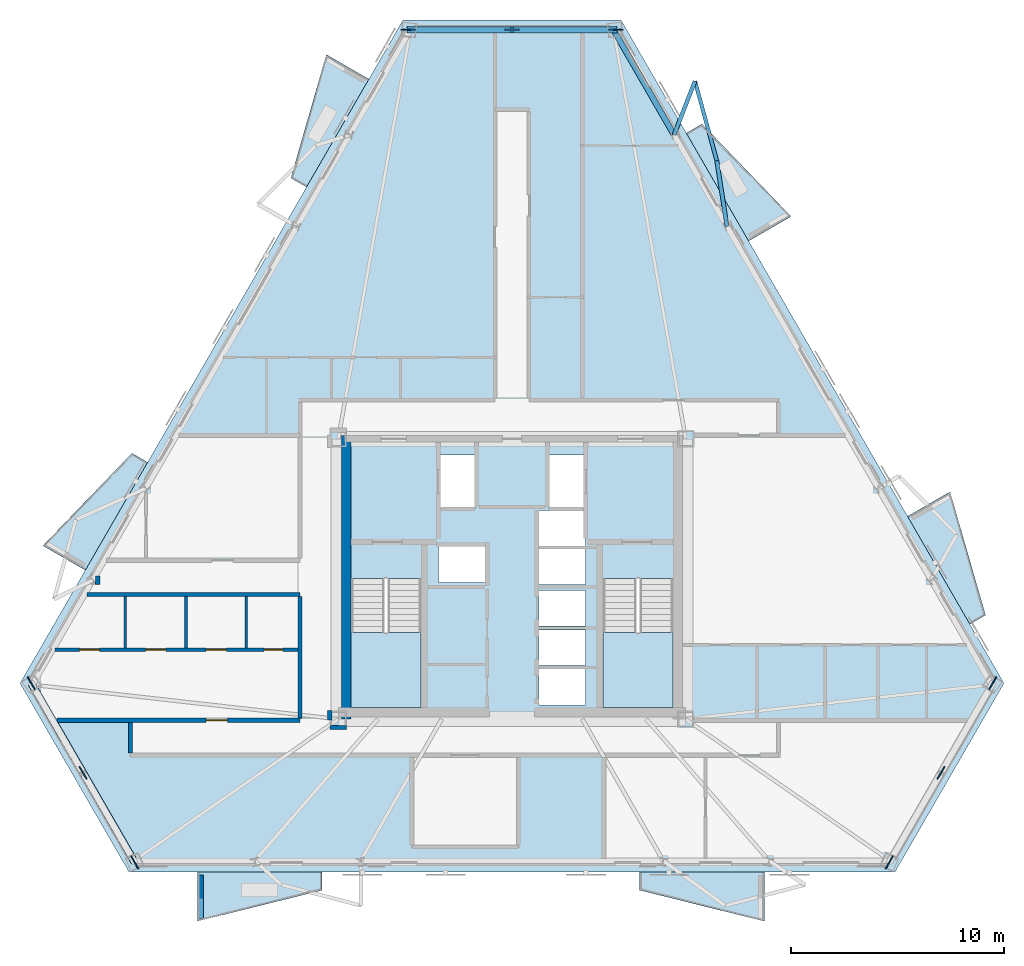
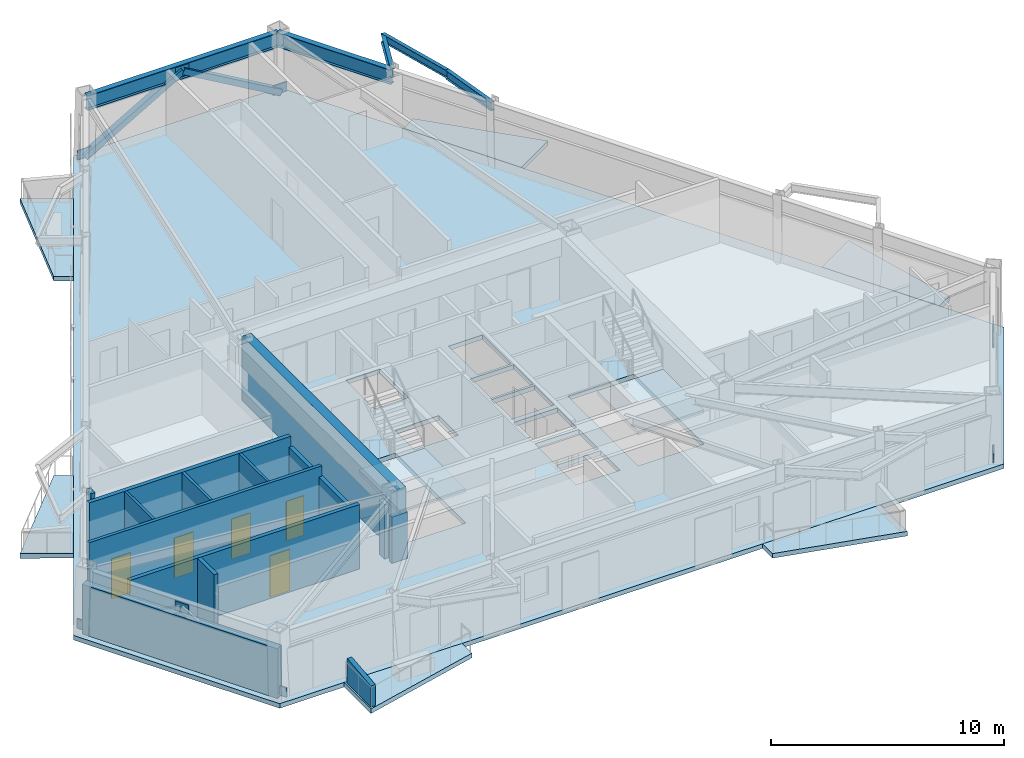
# One storey, part 2 of 9: 14 walls, 9 plates, 9 slabs, 5 beams, 5 doors, 2 members, 5 openings, 2 elements without a shape of their own.
"""IFC4 building model written with IfcOpenShell, lengths in metres."""

from ifc_helpers import new_model, si_unit, direction, frame, frame_2d, origin, origin_2d, place, context, subcontext, project, spatial, polyline, rectangle, hollow_rectangle, i_section, outline, extrude, material, layer, layer_set, material_profile, profile_set, type_object, element, fill, aggregate, save


model = new_model("IFC4")

# Units and contexts
model_context = context("Model", 3, precision=1e-05, world=origin(), true_north=direction((0.0, 1.0)))
body_context = subcontext(model_context, "Body", "Model", "MODEL_VIEW")
ifc_project = project(units=[si_unit("LENGTHUNIT", "METRE"), si_unit("AREAUNIT", "SQUARE_METRE"), si_unit("VOLUMEUNIT", "CUBIC_METRE"), si_unit("PLANEANGLEUNIT", "RADIAN"), si_unit("MASSUNIT", "GRAM", prefix="KILO")], contexts=[model_context])

# Site, building, storey
site_placement = place(None, origin())
site = spatial("IfcSite", under=ifc_project, at=site_placement, CompositionType="ELEMENT")
building_placement = place(site_placement, origin())
building = spatial("IfcBuilding", under=site, at=building_placement, Name="Oramaril Tower", CompositionType="ELEMENT")
storey_placement = place(building_placement, frame((0.0, 0.0, 145.800048828125)))
storey = spatial("IfcBuildingStorey", under=building, at=storey_placement, Name="L38", CompositionType="ELEMENT", Elevation=145.800048828125)

# Beams
ifc_material_1 = material(Name="Steel ASTM A572 Gr 50", Category="steel")
ifc_material_profile_1 = material_profile(ifc_material_1, i_section(OverallWidth=0.19091796875, OverallDepth=0.45703125, WebThickness=0.009033203125, FlangeThickness=0.014404296875, at=origin_2d()), Name="W18X50")
ifc_profile_set_1 = profile_set([ifc_material_profile_1], Name="Steel ASTM A572 Gr 50")
beam_type_1 = type_object("IfcBeamType", Name="BT-BB1", PredefinedType="BEAM", material=ifc_profile_set_1)
beam_1_placement = place(storey_placement, frame((47.5869140625, 34.115478515625, 3.1513671875), z_axis=(-0.153238557111, 0.988189225105, 0.0), x_axis=(-0.988189225105, -0.153238557111, 0.0)))
element("IfcBeam", 1, at=beam_1_placement, inside=storey, type_object=beam_type_1, Name="L38 Balcony Column-Framed Cantilever 04.1", PredefinedType="BEAM", context=body_context, shape_type="SweptSolid", body=[
    extrude(i_section(OverallWidth=0.19091796875, OverallDepth=0.45703125, WebThickness=0.009033203125, FlangeThickness=0.014404296875, at=origin_2d()), origin(), (0.0, 0.0, 1.0), 3.12109375),
])
beam_2_placement = place(storey_placement, frame((45.103759765625, 38.416259765625, 3.1513671875), z_axis=(0.363427668211, 0.931622418139, 0.0), x_axis=(-0.931622418139, 0.363427668211, 0.0)))
element("IfcBeam", 2, at=beam_2_placement, inside=storey, type_object=beam_type_1, Name="L38 Balcony Column-Framed Cantilever 04.2", PredefinedType="BEAM", context=body_context, shape_type="SweptSolid", body=[
    extrude(i_section(OverallWidth=0.19091796875, OverallDepth=0.45703125, WebThickness=0.009033203125, FlangeThickness=0.014404296875, at=origin_2d()), origin(), (0.0, 0.0, 1.0), 2.700439453125),
])
ifc_material_2 = material(Name="Steel ASTM A572 Gr 50", Category="steel")
ifc_material_profile_2 = material_profile(ifc_material_2, i_section(OverallWidth=0.177978515625, OverallDepth=0.404052734375, WebThickness=0.007568359375, FlangeThickness=0.010986328125, at=origin_2d()), Name="W16X36")
ifc_profile_set_2 = profile_set([ifc_material_profile_2], Name="Steel ASTM A572 Gr 50")
beam_type_2 = type_object("IfcBeamType", Name="BT-SB1", PredefinedType="BEAM", material=ifc_profile_set_2)
beam_3_placement = place(storey_placement, frame((47.108642578125, 37.19970703125, 3.177978515625), z_axis=(-0.264440915482, 0.964401888332, 0.0), x_axis=(-0.964401888332, -0.264440915482, 0.0)))
element("IfcBeam", 3, at=beam_3_placement, inside=storey, type_object=beam_type_2, Name="L38 Balcony Edge Tie Beam 04", PredefinedType="BEAM", context=body_context, shape_type="SweptSolid", body=[
    extrude(i_section(OverallWidth=0.177978515625, OverallDepth=0.404052734375, WebThickness=0.007568359375, FlangeThickness=0.010986328125, at=origin_2d()), origin(), (0.0, 0.0, 1.0), 3.8701171875),
])
ifc_material_3 = material(Name="Steel ASTM A572 Gr 50", Category="steel")
ifc_material_profile_3 = material_profile(ifc_material_3, i_section(OverallWidth=0.26708984375, OverallDepth=0.77001953125, WebThickness=0.015625, FlangeThickness=0.025390625, at=origin_2d()), Name="W30X132")
ifc_profile_set_3 = profile_set([ifc_material_profile_3], Name="Steel ASTM A572 Gr 50")
beam_type_3 = type_object("IfcBeamType", Name="BT-SP3", PredefinedType="SPANDREL", material=ifc_profile_set_3)
beam_4_placement = place(storey_placement, frame((45.103759765625, 38.416259765625, 2.994873046875), z_axis=(-0.499993043422, 0.86602942013, 0.0), x_axis=(-0.86602942013, -0.499993043422, 0.0)))
element("IfcBeam", 4, at=beam_4_placement, inside=storey, type_object=beam_type_3, Name="L38 Perimeter Spandrel 12", PredefinedType="SPANDREL", context=body_context, shape_type="SweptSolid", body=[
    extrude(i_section(OverallWidth=0.26708984375, OverallDepth=0.77001953125, WebThickness=0.015625, FlangeThickness=0.025390625, at=origin_2d()), origin(), (0.0, 0.0, 1.0), 5.67529296875),
])
beam_5_placement = place(storey_placement, frame((42.26611328125, 43.331298828125, 2.994873046875), z_axis=(-1.0, 0.0, 0.0), x_axis=(0.0, -1.0, 0.0)))
element("IfcBeam", 5, at=beam_5_placement, inside=storey, type_object=beam_type_3, Name="L38 Perimeter Spandrel 13", PredefinedType="SPANDREL", context=body_context, shape_type="SweptSolid", body=[
    extrude(i_section(OverallWidth=0.26708984375, OverallDepth=0.77001953125, WebThickness=0.015625, FlangeThickness=0.025390625, at=origin_2d()), origin(), (0.0, 0.0, 1.0), 9.5322265625),
])

# Members
ifc_material_4 = material(Name="Steel ASTM A572 Gr 50", Category="steel")
ifc_material_profile_4 = material_profile(ifc_material_4, hollow_rectangle(XDim=0.300048828125, YDim=0.300048828125, WallThickness=0.01611328125, at=origin_2d()), Name="HSS300X300X16")
ifc_profile_set_4 = profile_set([ifc_material_profile_4], Name="Steel ASTM A572 Gr 50")
member_type = type_object("IfcMemberType", Name="MT-KB2", PredefinedType="BRACE", material=ifc_profile_set_4)
for number, where, z_axis, x_axis, name in (
    (6, (42.3505859375, 43.3408203125, 0.179931640625), (-0.864907223083, 0.0, 0.501931763748), (0.0, -1.0, 0.0), "L38 Perimeter Chevron Brace KB-3A"),
    (7, (32.6494140625, 43.3408203125, 0.179931640625), (0.864907223083, 0.0, 0.501931763748), (0.0, 1.0, 0.0), "L38 Perimeter Chevron Brace KB-3B"),
):
    element("IfcMember", number, at=place(storey_placement, frame(where, z_axis=z_axis, x_axis=x_axis)), inside=storey, type_object=member_type, Name=name, PredefinedType="BRACE", context=body_context, shape_type="SweptSolid", body=[
        extrude(hollow_rectangle(XDim=0.300048828125, YDim=0.300048828125, WallThickness=0.01611328125, at=origin_2d()), origin(), (0.0, 0.0, 1.0), 5.608154296875),
    ])

# Plates
ifc_material_5 = material(Name="Steel ASTM A572 Gr 50", Category="steel")
ifc_layer_1 = layer(ifc_material_5, 0.06005859375)
ifc_layer_set_1 = layer_set([ifc_layer_1], Name="PLT-G60")
plate_type = type_object("IfcPlateType", Name="PLT-G60", PredefinedType="USERDEFINED", material=ifc_layer_set_1)
for number, where, z_axis, x_axis, name in (
    (8, (17.372802734375, 8.4794921875, 2.7548828125), (0.0, 0.0, 1.0), (0.500003022996, -0.86602365845, 0.0), "L38 Chevron Brace Gusset Plate BN-1"),
    (9, (14.947509765625, 12.680419921875, 0.099853515625), (0.0, 0.0, 1.0), (0.500003022996, -0.86602365845, 0.0), "L38 Chevron Brace Gusset Plate BN-1"),
    (10, (19.79833984375, 4.27880859375, 0.099853515625), (0.0, 0.0, 1.0), (0.500003022996, -0.86602365845, 0.0), "L38 Chevron Brace Gusset Plate BN-1"),
    (11, (57.626953125, 8.4794921875, 2.7548828125), (0.0, 0.0, 1.0), (0.500003022996, 0.86602365845, 0.0), "L38 Chevron Brace Gusset Plate BN-1"),
    (12, (55.20166015625, 4.27880859375, 0.099853515625), (0.0, 0.0, 1.0), (0.500003022996, 0.86602365845, 0.0), "L38 Chevron Brace Gusset Plate BN-1"),
    (13, (60.052490234375, 12.680419921875, 0.099853515625), (0.0, 0.0, 1.0), (0.500003022996, 0.86602365845, 0.0), "L38 Chevron Brace Gusset Plate BN-1"),
    (14, (37.5, 43.3408203125, 2.7548828125), (0.0, 0.0, 1.0), (-1.0, 0.0, 0.0), "L38 Chevron Brace Gusset Plate BN-1"),
    (15, (42.3505859375, 43.3408203125, 0.099853515625), (0.0, 0.0, 1.0), (-1.0, 0.0, 0.0), "L38 Chevron Brace Gusset Plate BN-1"),
    (16, (32.6494140625, 43.3408203125, 0.099853515625), (0.0, 0.0, 1.0), (-1.0, 0.0, 0.0), "L38 Chevron Brace Gusset Plate BN-1"),
):
    element("IfcPlate", number, at=place(storey_placement, frame(where, z_axis=z_axis, x_axis=x_axis)), inside=storey, type_object=plate_type, Name=name, ObjectType="GUSSET", PredefinedType="USERDEFINED", context=body_context, shape_type="SweptSolid", body=[
        extrude(rectangle(XDim=0.679931640625, YDim=0.06005859375, at=origin_2d()), origin(), (0.0, 0.0, 1.0), 0.47998046875),
    ])

# Slabs
ifc_material_6 = material(Name="Concrete C40/50", Category="concrete")
ifc_layer_2 = layer(ifc_material_6, 0.199951171875)
ifc_layer_set_2 = layer_set([ifc_layer_2], Name="SLT-BAL20")
slab_type_1 = type_object("IfcSlabType", Name="SLT-BAL20", PredefinedType="FLOOR", material=ifc_layer_set_2)
slab_1_placement = place(storey_placement, frame((0.0, 0.0, -0.239990234375)))
element("IfcSlab", 17, at=slab_1_placement, inside=storey, type_object=slab_type_1, Name="L38 Cantilevered Balcony Slab L38-BAL-S2", PredefinedType="FLOOR", context=body_context, shape_type="SweptSolid", body=[
    extrude(outline(polyline([(43.4921875, 3.82080078125), (49.34228515625, 3.82080078125), (49.34228515625, 1.518798828125), (43.4921875, 2.96875), (43.4921875, 3.82080078125)])), origin(), (0.0, 0.0, 1.0), 0.239990234375),
])
slab_2_placement = place(storey_placement, frame((0.0, 0.0, -0.239990234375)))
element("IfcSlab", 18, at=slab_2_placement, inside=storey, type_object=slab_type_1, Name="L38 Cantilevered Balcony Slab L38-BAL-NE1", PredefinedType="FLOOR", context=body_context, shape_type="SweptSolid", body=[
    extrude(outline(polyline([(58.98193359375, 15.45068359375), (56.056884765625, 20.516845703125), (58.050537109375, 21.66796875), (59.7197265625, 15.876708984375), (58.98193359375, 15.45068359375)])), origin(), (0.0, 0.0, 1.0), 0.239990234375),
])
slab_3_placement = place(storey_placement, frame((0.0, 0.0, -0.239990234375)))
element("IfcSlab", 19, at=slab_3_placement, inside=storey, type_object=slab_type_1, Name="L38 Cantilevered Balcony Slab L38-BAL-NW2", PredefinedType="FLOOR", context=body_context, shape_type="SweptSolid", body=[
    extrude(outline(polyline([(20.405517578125, 23.050048828125), (17.480712890625, 17.98388671875), (15.487060546875, 19.134765625), (19.667724609375, 23.47607421875), (20.405517578125, 23.050048828125)])), origin(), (0.0, 0.0, 1.0), 0.239990234375),
])
ifc_material_7 = material(Name="Concrete C50/60", Category="concrete")
ifc_layer_3 = layer(ifc_material_7, 0.239990234375)
ifc_layer_set_3 = layer_set([ifc_layer_3], Name="SLT-FLR24")
slab_type_2 = type_object("IfcSlabType", Name="SLT-FLR24", PredefinedType="FLOOR", material=ifc_layer_set_3)
slab_4_placement = place(storey_placement, frame((0.0, 0.0, -0.239990234375)))
element("IfcSlab", 20, at=slab_4_placement, inside=storey, type_object=slab_type_2, Name="L38 Structural Floor Slab", PredefinedType="FLOOR", context=body_context, shape_type="SweptSolid", body=[
    extrude(outline(polyline([(14.41650390625, 12.680419921875), (19.53271484375, 3.81884765625), (55.46728515625, 3.81884765625), (60.58349609375, 12.680419921875), (42.6162109375, 43.80078125), (32.3837890625, 43.80078125), (14.41650390625, 12.680419921875)]), holes=[polyline([(29.949951171875, 17.58935546875), (29.949951171875, 11.550048828125), (33.219970703125, 11.550048828125), (33.219970703125, 17.58935546875), (29.949951171875, 17.58935546875)]), polyline([(41.780029296875, 17.58935546875), (41.780029296875, 11.550048828125), (45.050048828125, 11.550048828125), (45.050048828125, 17.58935546875), (41.780029296875, 17.58935546875)]), polyline([(34.110107421875, 20.909912109375), (35.7900390625, 20.909912109375), (35.7900390625, 23.389892578125), (34.110107421875, 23.389892578125), (34.110107421875, 20.909912109375)]), polyline([(39.2099609375, 20.909912109375), (40.889892578125, 20.909912109375), (40.889892578125, 23.389892578125), (39.2099609375, 23.389892578125), (39.2099609375, 20.909912109375)]), polyline([(38.760009765625, 11.659912109375), (40.93994140625, 11.659912109375), (40.93994140625, 13.340087890625), (38.760009765625, 13.340087890625), (38.760009765625, 11.659912109375)]), polyline([(38.760009765625, 13.510009765625), (40.93994140625, 13.510009765625), (40.93994140625, 15.18994140625), (38.760009765625, 15.18994140625), (38.760009765625, 13.510009765625)]), polyline([(38.760009765625, 15.360107421875), (40.93994140625, 15.360107421875), (40.93994140625, 17.0400390625), (38.760009765625, 17.0400390625), (38.760009765625, 15.360107421875)]), polyline([(34.06005859375, 17.409912109375), (36.239990234375, 17.409912109375), (36.239990234375, 19.090087890625), (34.06005859375, 19.090087890625), (34.06005859375, 17.409912109375)]), polyline([(38.760009765625, 17.31005859375), (40.93994140625, 17.31005859375), (40.93994140625, 18.989990234375), (38.760009765625, 18.989990234375), (38.760009765625, 17.31005859375)]), polyline([(38.760009765625, 19.110107421875), (40.93994140625, 19.110107421875), (40.93994140625, 20.7900390625), (38.760009765625, 20.7900390625), (38.760009765625, 19.110107421875)])]), origin(), (0.0, 0.0, 1.0), 0.239990234375),
])

# Stair, slab
ifc_material_8 = material(Name="Concrete C50/60", Category="concrete")
stair_type = type_object("IfcStairType", Name="STT-DG-3600", PredefinedType="HALF_TURN_STAIR", material=ifc_material_8)
stair_1_placement = place(storey_placement, origin())
stair_1 = element("IfcStair", 21, at=stair_1_placement, inside=storey, type_object=stair_type, Name="L38 Protected PFP Exit Stair ST-1", PredefinedType="HALF_TURN_STAIR")
ifc_material_9 = material(Name="Concrete C50/60", Category="concrete")
ifc_layer_4 = layer(ifc_material_9, 0.199951171875)
ifc_layer_set_4 = layer_set([ifc_layer_4], Name="SLT-LND20")
slab_type_3 = type_object("IfcSlabType", Name="SLT-LND20", PredefinedType="LANDING", material=ifc_layer_set_4)
slab_5_placement = place(storey_placement, frame((0.0, 0.0, 1.599853515625)))
slab_5 = element("IfcSlab", 22, at=slab_5_placement, type_object=slab_type_3, Name="ST-1 landing 1", PredefinedType="LANDING", context=body_context, shape_type="SweptSolid", body=[
    extrude(outline(polyline([(29.949951171875, 15.070068359375), (29.949951171875, 11.550048828125), (33.219970703125, 11.550048828125), (33.219970703125, 15.070068359375), (29.949951171875, 15.070068359375)])), origin(), (0.0, 0.0, 1.0), 0.2001953125),
])
aggregate(stair_1, [slab_5])

stair_2_placement = place(storey_placement, origin())
stair_2 = element("IfcStair", 23, at=stair_2_placement, inside=storey, type_object=stair_type, Name="L38 Protected PFP Exit Stair ST-2", PredefinedType="HALF_TURN_STAIR")
slab_6_placement = place(storey_placement, frame((0.0, 0.0, 1.599853515625)))
slab_6 = element("IfcSlab", 24, at=slab_6_placement, type_object=slab_type_3, Name="ST-2 landing 1", PredefinedType="LANDING", context=body_context, shape_type="SweptSolid", body=[
    extrude(outline(polyline([(41.780029296875, 15.070068359375), (41.780029296875, 11.550048828125), (45.050048828125, 11.550048828125), (45.050048828125, 15.070068359375), (41.780029296875, 15.070068359375)])), origin(), (0.0, 0.0, 1.0), 0.2001953125),
])
aggregate(stair_2, [slab_6])

# Slabs
ifc_material_10 = material(Name="Concrete C40/50", Category="concrete")
ifc_layer_5 = layer(ifc_material_10, 0.18994140625)
ifc_layer_set_5 = layer_set([ifc_layer_5], Name="SLT-PLN19")
slab_type_4 = type_object("IfcSlabType", Name="SLT-PLN19", PredefinedType="FLOOR", material=ifc_layer_set_5)
slab_7_placement = place(storey_placement, frame((0.0, 0.0, -0.239990234375)))
element("IfcSlab", 25, at=slab_7_placement, inside=storey, type_object=slab_type_4, Name="L38 Tree Planter Balcony Slab L38-BAL-S1", PredefinedType="FLOOR", context=body_context, shape_type="SweptSolid", body=[
    extrude(outline(polyline([(22.732666015625, 3.82080078125), (28.582763671875, 3.82080078125), (28.582763671875, 2.96875), (22.732666015625, 1.518798828125), (22.732666015625, 3.82080078125)])), origin(), (0.0, 0.0, 1.0), 0.239990234375),
])
slab_8_placement = place(storey_placement, frame((0.0, 0.0, -0.239990234375)))
element("IfcSlab", 26, at=slab_8_placement, inside=storey, type_object=slab_type_4, Name="L38 Tree Planter Balcony Slab L38-BAL-NE2", PredefinedType="FLOOR", context=body_context, shape_type="SweptSolid", body=[
    extrude(outline(polyline([(48.60205078125, 33.42919921875), (45.677001953125, 38.495361328125), (46.414794921875, 38.92138671875), (50.595703125, 34.580078125), (48.60205078125, 33.42919921875)])), origin(), (0.0, 0.0, 1.0), 0.239990234375),
])
slab_9_placement = place(storey_placement, frame((0.0, 0.0, -0.239990234375)))
element("IfcSlab", 27, at=slab_9_placement, inside=storey, type_object=slab_type_4, Name="L38 Tree Planter Balcony Slab L38-BAL-NW1", PredefinedType="FLOOR", context=body_context, shape_type="SweptSolid", body=[
    extrude(outline(polyline([(30.785400390625, 41.028564453125), (27.8603515625, 35.96240234375), (27.12255859375, 36.38818359375), (28.791748046875, 42.179443359375), (30.785400390625, 41.028564453125)])), origin(), (0.0, 0.0, 1.0), 0.239990234375),
])

# Walls
ifc_material_11 = material(Name="Warm Cream Limestone", Category="masonry")
ifc_layer_6 = layer(ifc_material_11, 0.340087890625)
ifc_layer_set_6 = layer_set([ifc_layer_6], Name="WT-EXT34")
wall_type_1 = type_object("IfcWallType", Name="WT-EXT34", PredefinedType="SOLIDWALL", material=ifc_layer_set_6)
wall_1_placement = place(storey_placement, frame((14.947509765625, 12.680419921875, 0.0), z_axis=(0.0, 0.0, 1.0), x_axis=(0.500012177251, -0.866018373131, 0.0)))
element("IfcWall", 28, at=wall_1_placement, inside=storey, type_object=wall_type_1, Name="L38 Tower Limestone Facade Wall 1M", PredefinedType="SOLIDWALL", context=body_context, shape_type="SweptSolid", body=[
    extrude(rectangle(XDim=9.701416015625, YDim=0.340087890625, at=frame_2d((4.8505859375, 0.0))), origin(), (0.0, 0.0, 1.0), 2.599853515625),
])
ifc_material_12 = material(Name="Concrete C40/50", Category="concrete")
ifc_layer_7 = layer(ifc_material_12, 0.22998046875)
ifc_layer_set_7 = layer_set([ifc_layer_7], Name="WT-PRP23")
wall_type_2 = type_object("IfcWallType", Name="WT-PRP23", PredefinedType="PARAPET", material=ifc_layer_set_7)
wall_2_placement = place(storey_placement, frame((22.91259765625, 3.680908203125, 0.0), z_axis=(0.0, 0.0, 1.0), x_axis=(0.0, -1.0, 0.0)))
element("IfcWall", 29, at=wall_2_placement, inside=storey, type_object=wall_type_2, Name="L38 Trapezoidal Balcony Frame Cheek L38-BAL-S1-L", PredefinedType="PARAPET", context=body_context, shape_type="SweptSolid", body=[
    extrude(outline(polyline([(0.0, 0.0), (2.0419921875, 0.0), (2.0419921875, 1.099853515625), (0.0, 1.320068359375), (0.0, 0.0)])), frame((0.0, 0.114990234375, 0.0), z_axis=(0.0, -1.0, 0.0), x_axis=(1.0, 0.0, 0.0)), (0.0, 0.0, 1.0), 0.22998046875),
])
ifc_material_13 = material(Name="Acoustic Gypsum Board Partition")
ifc_layer_8 = layer(ifc_material_13, 0.1201171875)
ifc_layer_set_8 = layer_set([ifc_layer_8], Name="WT-PT12")
wall_type_3 = type_object("IfcWallType", Name="WT-PT12", PredefinedType="PARTITIONING", material=ifc_layer_set_8)
for number, where, z_axis, x_axis, name in (
    (30, (19.360107421875, 14.333984375, 0.0), (0.0, 0.0, 1.0), (0.0, 1.0, 0.0), "L38 Interior Partition PT-12"),
    (31, (25.030029296875, 14.333984375, 0.0), (0.0, 0.0, 1.0), (0.0, 1.0, 0.0), "L38 Interior Partition PT-12"),
):
    element("IfcWall", number, at=place(storey_placement, frame(where, z_axis=z_axis, x_axis=x_axis)), inside=storey, type_object=wall_type_3, Name=name, PredefinedType="PARTITIONING", context=body_context, shape_type="SweptSolid", body=[
        extrude(rectangle(XDim=2.412109375, YDim=0.1201171875, at=frame_2d((1.2060546875, 0.0))), origin(), (0.0, 0.0, 1.0), 3.3798828125),
    ])
ifc_material_14 = material(Name="Acoustic Gypsum Board Partition")
ifc_layer_9 = layer(ifc_material_14, 0.139892578125)
ifc_layer_set_9 = layer_set([ifc_layer_9], Name="WT-PT14")
wall_type_4 = type_object("IfcWallType", Name="WT-PT14", PredefinedType="PARTITIONING", material=ifc_layer_set_9)
wall_3_placement = place(storey_placement, frame((22.2099609375, 14.333984375, 0.0), z_axis=(0.0, 0.0, 1.0), x_axis=(0.0, 1.0, 0.0)))
element("IfcWall", 32, at=wall_3_placement, inside=storey, type_object=wall_type_4, Name="L38 Interior Partition PT-14", PredefinedType="PARTITIONING", context=body_context, shape_type="SweptSolid", body=[
    extrude(rectangle(XDim=2.412109375, YDim=0.139892578125, at=frame_2d((1.2060546875, 0.0))), origin(), (0.0, 0.0, 1.0), 3.3798828125),
])

# Wall, openings, doors
ifc_material_15 = material(Name="Acoustic Gypsum Board Partition")
ifc_layer_10 = layer(ifc_material_15, 0.159912109375)
ifc_layer_set_10 = layer_set([ifc_layer_10], Name="WT-PT16")
wall_type_5 = type_object("IfcWallType", Name="WT-PT16", PredefinedType="PARTITIONING", material=ifc_layer_set_10)
wall_4_placement = place(storey_placement, frame((16.0546875, 14.25, 0.0), z_axis=(0.0, 0.0, 1.0), x_axis=(1.0, 0.0, 0.0)))
wall_4 = element("IfcWall", 33, at=wall_4_placement, inside=storey, type_object=wall_type_5, Name="L38 Interior Partition PT-16", PredefinedType="PARTITIONING", context=body_context, shape_type="SweptSolid", body=[
    extrude(rectangle(XDim=11.54541015625, YDim=0.159912109375, at=frame_2d((5.772705078125, 0.0))), origin(), (0.0, 0.0, 1.0), 3.3798828125),
])
opening_1_placement = place(wall_4_placement, frame((1.1474609375, 0.0, 0.0)))
opening_1 = element("IfcOpeningElement", 34, at=opening_1_placement, cuts=wall_4, Name="Opening D-L38-04", PredefinedType="OPENING", context=body_context, shape_type="SweptSolid", body=[
    extrude(rectangle(XDim=0.949951171875, YDim=2.10009765625, at=frame_2d((0.47509765625, 1.050048828125))), frame((0.0, 0.080078125, 0.0), z_axis=(0.0, -1.0, 0.0), x_axis=(1.0, 0.0, 0.0)), (0.0, 0.0, 1.0), 0.159912109375),
])
opening_2_placement = place(wall_4_placement, frame((4.254638671875, 0.0, 0.0)))
opening_2 = element("IfcOpeningElement", 35, at=opening_2_placement, cuts=wall_4, Name="Opening D-L38-05", PredefinedType="OPENING", context=body_context, shape_type="SweptSolid", body=[
    extrude(rectangle(XDim=0.949951171875, YDim=2.10009765625, at=frame_2d((0.47509765625, 1.050048828125))), frame((0.0, 0.080078125, 0.0), z_axis=(0.0, -1.0, 0.0), x_axis=(1.0, 0.0, 0.0)), (0.0, 0.0, 1.0), 0.159912109375),
])
opening_3_placement = place(wall_4_placement, frame((7.092041015625, 0.0, 0.0)))
opening_3 = element("IfcOpeningElement", 36, at=opening_3_placement, cuts=wall_4, Name="Opening D-L38-06", PredefinedType="OPENING", context=body_context, shape_type="SweptSolid", body=[
    extrude(rectangle(XDim=0.949951171875, YDim=2.10009765625, at=frame_2d((0.47509765625, 1.050048828125))), frame((0.0, 0.080078125, 0.0), z_axis=(0.0, -1.0, 0.0), x_axis=(1.0, 0.0, 0.0)), (0.0, 0.0, 1.0), 0.159912109375),
])
opening_4_placement = place(wall_4_placement, frame((9.810302734375, 0.0, 0.0)))
opening_4 = element("IfcOpeningElement", 37, at=opening_4_placement, cuts=wall_4, Name="Opening D-L38-07", PredefinedType="OPENING", context=body_context, shape_type="SweptSolid", body=[
    extrude(rectangle(XDim=0.8798828125, YDim=2.080078125, at=frame_2d((0.43994140625, 1.0400390625))), frame((0.0, 0.080078125, 0.0), z_axis=(0.0, -1.0, 0.0), x_axis=(1.0, 0.0, 0.0)), (0.0, 0.0, 1.0), 0.159912109375),
])
ifc_material_16 = material(Name="FSC Brazilian Freijo Hardwood", Category="wood")
door_type_1 = type_object("IfcDoorType", Name="DT-BATH", OperationType="NOTDEFINED", PredefinedType="DOOR", material=ifc_material_16)
door_1_placement = place(opening_4_placement, origin())
door_1 = element("IfcDoor", 38, at=door_1_placement, inside=storey, type_object=door_type_1, Name="L38 Flat L38-U3 Bathroom Door D-L38-07", OperationType="SINGLE_SWING_LEFT", OverallHeight=2.080078125, OverallWidth=0.8798828125, PredefinedType="DOOR", context=body_context, shape_type="SweptSolid", body=[
    extrude(rectangle(XDim=0.8798828125, YDim=2.080078125, at=frame_2d((0.43994140625, 1.0400390625))), frame((0.0, 0.02490234375, 0.0), z_axis=(0.0, -1.0, 0.0), x_axis=(1.0, 0.0, 0.0)), (0.0, 0.0, 1.0), 0.050048828125),
])
fill(opening_4, door_1)
ifc_material_17 = material(Name="FSC Brazilian Freijo Hardwood", Category="wood")
door_type_2 = type_object("IfcDoorType", Name="DT-STDY", OperationType="NOTDEFINED", PredefinedType="DOOR", material=ifc_material_17)
door_2_placement = place(opening_1_placement, origin())
door_2 = element("IfcDoor", 39, at=door_2_placement, inside=storey, type_object=door_type_2, Name="L38 Flat L38-U3 Breakfast Dining Room Door D-L38-04", OperationType="SINGLE_SWING_RIGHT", OverallHeight=2.10009765625, OverallWidth=0.949951171875, PredefinedType="DOOR", context=body_context, shape_type="SweptSolid", body=[
    extrude(rectangle(XDim=0.949951171875, YDim=2.10009765625, at=frame_2d((0.47509765625, 1.050048828125))), frame((0.0, 0.02490234375, 0.0), z_axis=(0.0, -1.0, 0.0), x_axis=(1.0, 0.0, 0.0)), (0.0, 0.0, 1.0), 0.050048828125),
])
fill(opening_1, door_2)
door_3_placement = place(opening_2_placement, origin())
door_3 = element("IfcDoor", 40, at=door_3_placement, inside=storey, type_object=door_type_2, Name="L38 Flat L38-U3 Breakfast Dining Room Door D-L38-05", OperationType="SINGLE_SWING_LEFT", OverallHeight=2.10009765625, OverallWidth=0.949951171875, PredefinedType="DOOR", context=body_context, shape_type="SweptSolid", body=[
    extrude(rectangle(XDim=0.949951171875, YDim=2.10009765625, at=frame_2d((0.47509765625, 1.050048828125))), frame((0.0, 0.02490234375, 0.0), z_axis=(0.0, -1.0, 0.0), x_axis=(1.0, 0.0, 0.0)), (0.0, 0.0, 1.0), 0.050048828125),
])
fill(opening_2, door_3)
door_4_placement = place(opening_3_placement, origin())
door_4 = element("IfcDoor", 41, at=door_4_placement, inside=storey, type_object=door_type_2, Name="L38 Flat L38-U3 Kitchen Door D-L38-06", OperationType="SINGLE_SWING_RIGHT", OverallHeight=2.10009765625, OverallWidth=0.949951171875, PredefinedType="DOOR", context=body_context, shape_type="SweptSolid", body=[
    extrude(rectangle(XDim=0.949951171875, YDim=2.10009765625, at=frame_2d((0.47509765625, 1.050048828125))), frame((0.0, 0.02490234375, 0.0), z_axis=(0.0, -1.0, 0.0), x_axis=(1.0, 0.0, 0.0)), (0.0, 0.0, 1.0), 0.050048828125),
])
fill(opening_3, door_4)

# Wall
ifc_material_18 = material(Name="Autoclaved Cellular Concrete Block", Category="concrete")
ifc_layer_11 = layer(ifc_material_18, 0.199951171875)
ifc_layer_set_11 = layer_set([ifc_layer_11], Name="WT-PT20")
wall_type_6 = type_object("IfcWallType", Name="WT-PT20", PredefinedType="PARTITIONING", material=ifc_layer_set_11)
wall_5_placement = place(storey_placement, frame((28.9599609375, 10.610107421875, 0.0), z_axis=(0.0, 0.0, 1.0), x_axis=(1.0, 0.0, 0.0)))
element("IfcWall", 42, at=wall_5_placement, inside=storey, type_object=wall_type_6, Name="L38 Interior Partition PT-20", PredefinedType="PARTITIONING", context=body_context, shape_type="SweptSolid", body=[
    extrude(rectangle(XDim=0.780029296875, YDim=0.199951171875, at=frame_2d((0.39013671875, 0.0))), origin(), (0.0, 0.0, 1.0), 2.419921875),
])

# Wall, opening, door
wall_6_placement = place(storey_placement, frame((16.147705078125, 10.949951171875, 0.0), z_axis=(0.0, 0.0, 1.0), x_axis=(1.0, 0.0, 0.0)))
wall_6 = element("IfcWall", 43, at=wall_6_placement, inside=storey, type_object=wall_type_6, Name="L38 Interior Partition PT-20", PredefinedType="PARTITIONING", context=body_context, shape_type="SweptSolid", body=[
    extrude(rectangle(XDim=11.40234375, YDim=0.199951171875, at=frame_2d((5.701171875, 0.0))), origin(), (0.0, 0.0, 1.0), 3.3798828125),
])
opening_5_placement = place(wall_6_placement, frame((7.00146484375, 0.0, 0.0)))
opening_5 = element("IfcOpeningElement", 44, at=opening_5_placement, cuts=wall_6, Name="Opening D-L38-03", PredefinedType="OPENING", context=body_context, shape_type="SweptSolid", body=[
    extrude(rectangle(XDim=1.0, YDim=2.179931640625, at=frame_2d((0.5, 1.08984375))), frame((0.0, 0.10009765625, 0.0), z_axis=(0.0, -1.0, 0.0), x_axis=(1.0, 0.0, 0.0)), (0.0, 0.0, 1.0), 0.199951171875),
])
ifc_material_19 = material(Name="FSC Brazilian Freijo Hardwood", Category="wood")
door_type_3 = type_object("IfcDoorType", Name="DT-APT", OperationType="NOTDEFINED", PredefinedType="DOOR", material=ifc_material_19)
door_5_placement = place(opening_5_placement, origin())
door_5 = element("IfcDoor", 45, at=door_5_placement, inside=storey, type_object=door_type_3, Name="L38 Flat L38-U3 Studio Apartment Door D-L38-03", OperationType="SINGLE_SWING_LEFT", OverallHeight=2.179931640625, OverallWidth=1.0, PredefinedType="DOOR", context=body_context, shape_type="SweptSolid", body=[
    extrude(rectangle(XDim=1.0, YDim=2.179931640625, at=frame_2d((0.5, 1.08984375))), frame((0.0, 0.02490234375, 0.0), z_axis=(0.0, -1.0, 0.0), x_axis=(1.0, 0.0, 0.0)), (0.0, 0.0, 1.0), 0.050048828125),
])
fill(opening_5, door_5)

# Walls
wall_7_placement = place(storey_placement, frame((17.555908203125, 16.85009765625, 0.0), z_axis=(0.0, 0.0, 1.0), x_axis=(1.0, 0.0, 0.0)))
element("IfcWall", 46, at=wall_7_placement, inside=storey, type_object=wall_type_6, Name="L38 Interior Partition PT-20", PredefinedType="PARTITIONING", context=body_context, shape_type="SweptSolid", body=[
    extrude(rectangle(XDim=9.994140625, YDim=0.199951171875, at=frame_2d((4.9970703125, 0.0))), origin(), (0.0, 0.0, 1.0), 3.3798828125),
])
wall_8_placement = place(storey_placement, frame((18.06005859375, 17.307373046875, 0.0), z_axis=(0.0, 0.0, 1.0), x_axis=(0.0, 1.0, 0.0)))
element("IfcWall", 47, at=wall_8_placement, inside=storey, type_object=wall_type_6, Name="L38 Interior Partition PT-20", PredefinedType="PARTITIONING", context=body_context, shape_type="SweptSolid", body=[
    extrude(rectangle(XDim=0.416015625, YDim=0.199951171875, at=frame_2d((0.2080078125, 0.0))), origin(), (0.0, 0.0, 1.0), 3.3798828125),
])
wall_9_placement = place(storey_placement, frame((19.60009765625, 9.404052734375, 0.0), z_axis=(0.0, 0.0, 1.0), x_axis=(0.0, 1.0, 0.0)))
element("IfcWall", 48, at=wall_9_placement, inside=storey, type_object=wall_type_6, Name="L38 Interior Partition PT-20", PredefinedType="PARTITIONING", context=body_context, shape_type="SweptSolid", body=[
    extrude(rectangle(XDim=1.44189453125, YDim=0.199951171875, at=frame_2d((0.720947265625, 0.0))), origin(), (0.0, 0.0, 1.0), 3.3798828125),
])
wall_10_placement = place(storey_placement, frame((27.550048828125, 11.053955078125, 0.0), z_axis=(0.0, 0.0, 1.0), x_axis=(0.0, 1.0, 0.0)))
element("IfcWall", 49, at=wall_10_placement, inside=storey, type_object=wall_type_6, Name="L38 Interior Partition PT-20", PredefinedType="PARTITIONING", context=body_context, shape_type="SweptSolid", body=[
    extrude(rectangle(XDim=5.692138671875, YDim=0.199951171875, at=frame_2d((2.84619140625, 0.0))), origin(), (0.0, 0.0, 1.0), 2.842041015625),
])
wall_11_placement = place(storey_placement, frame((28.949951171875, 10.949951171875, 0.0), z_axis=(0.0, 0.0, 1.0), x_axis=(0.0, 1.0, 0.0)))
element("IfcWall", 50, at=wall_11_placement, inside=storey, type_object=wall_type_6, Name="L38 Interior Partition PT-20", PredefinedType="PARTITIONING", context=body_context, shape_type="SweptSolid", body=[
    extrude(rectangle(XDim=0.445068359375, YDim=0.199951171875, at=frame_2d((0.22265625, 0.0))), origin(), (0.0, 0.0, 1.0), 2.842041015625),
])
ifc_material_20 = material(Name="Concrete C50/60", Category="concrete")
ifc_layer_12 = layer(ifc_material_20, 0.449951171875)
ifc_layer_set_12 = layer_set([ifc_layer_12], Name="WT-SH45")
wall_type_7 = type_object("IfcWallType", Name="WT-SH45", PredefinedType="SHEAR", material=ifc_layer_set_12)
wall_12_placement = place(storey_placement, frame((29.715087890625, 11.0, 0.0), z_axis=(0.0, 0.0, 1.0), x_axis=(0.0, 1.0, 0.0)))
element("IfcWall", 51, at=wall_12_placement, inside=storey, type_object=wall_type_7, Name="L38 Core Shear Wall CW-W", PredefinedType="SHEAR", context=body_context, shape_type="SweptSolid", body=[
    extrude(rectangle(XDim=13.300048828125, YDim=0.449951171875, at=frame_2d((6.64990234375, 0.0))), origin(), (0.0, 0.0, 1.0), 3.3798828125),
])

save(model, "model.ifc")
